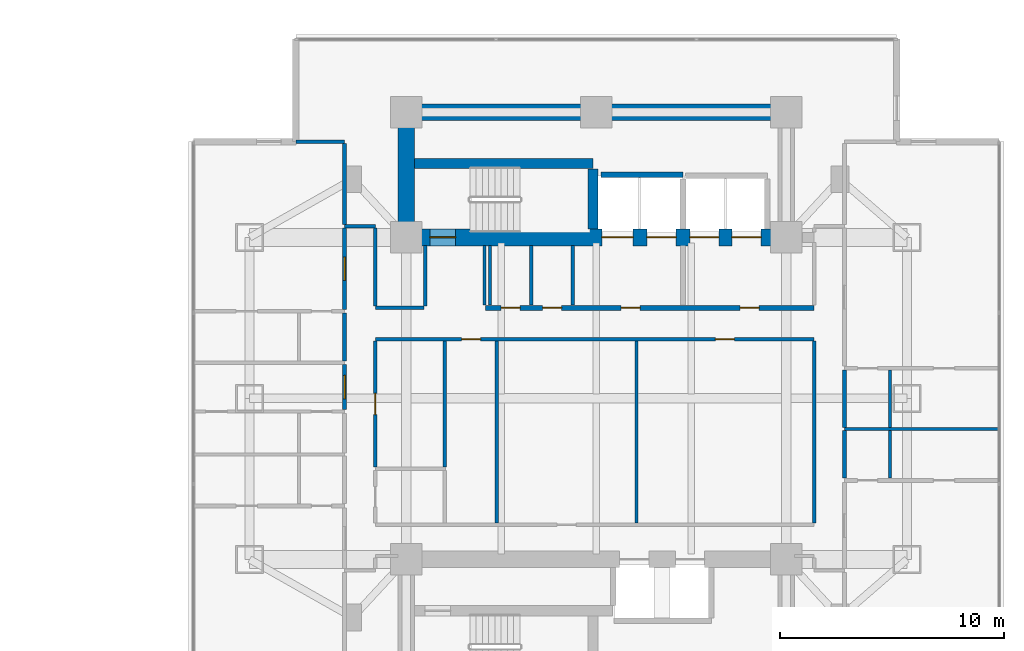
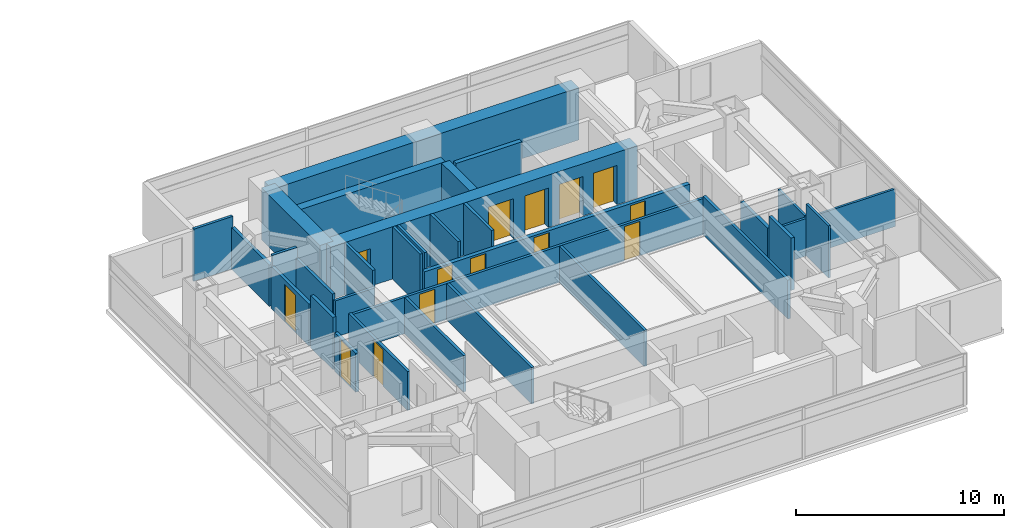
# One storey, part 17 of 26: 31 walls, 14 doors, 14 openings.
"""IFC4 building model written with IfcOpenShell, lengths in metres."""

from ifc_helpers import new_model, si_unit, direction, frame, frame_2d, origin, place, context, subcontext, project, spatial, rectangle, extrude, material, layer, layer_set, type_object, element, fill, save


model = new_model("IFC4")

# Units and contexts
model_context = context("Model", 3, precision=1e-05, world=origin(), true_north=direction((0.0, 1.0)))
body_context = subcontext(model_context, "Body", "Model", "MODEL_VIEW")
ifc_project = project(units=[si_unit("LENGTHUNIT", "METRE"), si_unit("AREAUNIT", "SQUARE_METRE"), si_unit("VOLUMEUNIT", "CUBIC_METRE"), si_unit("PLANEANGLEUNIT", "RADIAN"), si_unit("MASSUNIT", "GRAM", prefix="KILO")], contexts=[model_context])

# Site, building, storey
site_placement = place(None, origin())
site = spatial("IfcSite", under=ifc_project, at=site_placement, CompositionType="ELEMENT")
building_placement = place(site_placement, origin())
building = spatial("IfcBuilding", under=site, at=building_placement, Name="Mirazonda Arch Towers", CompositionType="ELEMENT")
storey_placement = place(building_placement, frame((0.0, 0.0, 25.699951171875)))
storey = spatial("IfcBuildingStorey", under=building, at=storey_placement, Name="L06", CompositionType="ELEMENT", Elevation=25.699951171875)

# Walls
ifc_material_1 = material(Name="Concrete C50/60", Category="concrete")
ifc_layer_1 = layer(ifc_material_1, 0.449951171875, Name="WALL-CORE-450")
ifc_layer_set_1 = layer_set([ifc_layer_1], Name="Concrete C50/60")
wall_type_1 = type_object("IfcWallType", Name="WALL-CORE-450", PredefinedType="SHEAR", material=ifc_layer_set_1)
wall_1_placement = place(storey_placement, frame((68.3701171875, 38.5, 0.0), z_axis=(0.0, 0.0, 1.0), x_axis=(1.0, 0.0, 0.0)))
element("IfcWall", 1, at=wall_1_placement, inside=storey, type_object=wall_type_1, Name="L06 Stair Core Shear Wall 054", PredefinedType="SHEAR", context=body_context, shape_type="SweptSolid", body=[
    extrude(rectangle(XDim=7.989990234375, YDim=0.449951171875, at=frame_2d((3.9951171875, 0.0))), origin(), (0.0, 0.0, 1.0), 3.06005859375),
])
wall_2_placement = place(storey_placement, frame((76.360107421875, 35.570068359375, 0.0), z_axis=(0.0, 0.0, 1.0), x_axis=(0.0, 1.0, 0.0)))
element("IfcWall", 2, at=wall_2_placement, inside=storey, type_object=wall_type_1, Name="L06 Stair Core Shear Wall 144", PredefinedType="SHEAR", context=body_context, shape_type="SweptSolid", body=[
    extrude(rectangle(XDim=2.69482421875, YDim=0.449951171875, at=frame_2d((1.347412109375, 0.0))), origin(), (0.0, 0.0, 1.0), 3.06005859375),
])
ifc_material_2 = material(Name="Concrete C60/75", Category="concrete")
ifc_layer_2 = layer(ifc_material_2, 0.75, Name="WALL-CORE-750")
ifc_layer_set_2 = layer_set([ifc_layer_2], Name="Concrete C60/75")
wall_type_2 = type_object("IfcWallType", Name="WALL-CORE-750", PredefinedType="SHEAR", material=ifc_layer_set_2)
wall_3_placement = place(storey_placement, frame((68.0, 40.800048828125, 0.0), z_axis=(0.0, 0.0, 1.0), x_axis=(1.0, 0.0, 0.0)))
element("IfcWall", 3, at=wall_3_placement, inside=storey, type_object=wall_type_2, Name="L06 T2N-N Core Shear Wall", PredefinedType="SHEAR", context=body_context, shape_type="SweptSolid", body=[
    extrude(rectangle(XDim=17.0, YDim=0.75, at=frame_2d((8.5, 0.0))), origin(), (0.0, 0.0, 1.0), 3.06005859375),
])
wall_4_placement = place(storey_placement, frame((68.0, 35.199951171875, 0.0), z_axis=(0.0, 0.0, 1.0), x_axis=(0.0, 1.0, 0.0)))
element("IfcWall", 4, at=wall_4_placement, inside=storey, type_object=wall_type_2, Name="L06 T2N-W Core Shear Wall", PredefinedType="SHEAR", context=body_context, shape_type="SweptSolid", body=[
    extrude(rectangle(XDim=5.60009765625, YDim=0.75, at=frame_2d((2.800048828125, 0.0))), origin(), (0.0, 0.0, 1.0), 3.06005859375),
])

# Wall, openings, doors
wall_5_placement = place(storey_placement, frame((68.0, 35.199951171875, 0.0), z_axis=(0.0, 0.0, 1.0), x_axis=(1.0, 0.0, 0.0)))
wall_5 = element("IfcWall", 5, at=wall_5_placement, inside=storey, type_object=wall_type_2, Name="L06 T2N-S Core Shear Wall", PredefinedType="SHEAR", context=body_context, shape_type="SweptSolid", body=[
    extrude(rectangle(XDim=17.0, YDim=0.75, at=frame_2d((8.5, 0.0))), origin(), (0.0, 0.0, 1.0), 3.06005859375),
])
opening_1_placement = place(wall_5_placement, frame((1.06005859375, 0.0, 0.0)))
opening_1 = element("IfcOpeningElement", 6, at=opening_1_placement, cuts=wall_5, Name="Opening DR-135", PredefinedType="OPENING", context=body_context, shape_type="SweptSolid", body=[
    extrude(rectangle(XDim=1.14990234375, YDim=2.199951171875, at=frame_2d((0.574951171875, 1.10009765625))), frame((0.0, 0.385009765625, 0.0), z_axis=(0.0, -1.0, 0.0), x_axis=(1.0, 0.0, 0.0)), (0.0, 0.0, 1.0), 0.77001953125),
])
opening_2_placement = place(wall_5_placement, frame((8.75, 0.0, 0.0)))
opening_2 = element("IfcOpeningElement", 7, at=opening_2_placement, cuts=wall_5, Name="Opening LD-112", PredefinedType="OPENING", context=body_context, shape_type="SweptSolid", body=[
    extrude(rectangle(XDim=1.39990234375, YDim=2.35009765625, at=frame_2d((0.699951171875, 1.175048828125))), frame((0.0, 0.385009765625, 0.0), z_axis=(0.0, -1.0, 0.0), x_axis=(1.0, 0.0, 0.0)), (0.0, 0.0, 1.0), 0.77001953125),
])
opening_3_placement = place(wall_5_placement, frame((10.77001953125, 0.0, 0.0)))
opening_3 = element("IfcOpeningElement", 8, at=opening_3_placement, cuts=wall_5, Name="Opening LD-111", PredefinedType="OPENING", context=body_context, shape_type="SweptSolid", body=[
    extrude(rectangle(XDim=1.300048828125, YDim=2.300048828125, at=frame_2d((0.64990234375, 1.14990234375))), frame((0.0, 0.385009765625, 0.0), z_axis=(0.0, -1.0, 0.0), x_axis=(1.0, 0.0, 0.0)), (0.0, 0.0, 1.0), 0.77001953125),
])
opening_4_placement = place(wall_5_placement, frame((12.68994140625, 0.0, 0.0)))
opening_4 = element("IfcOpeningElement", 9, at=opening_4_placement, cuts=wall_5, Name="Opening LD-111", PredefinedType="OPENING", context=body_context, shape_type="SweptSolid", body=[
    extrude(rectangle(XDim=1.300048828125, YDim=2.300048828125, at=frame_2d((0.64990234375, 1.14990234375))), frame((0.0, 0.385009765625, 0.0), z_axis=(0.0, -1.0, 0.0), x_axis=(1.0, 0.0, 0.0)), (0.0, 0.0, 1.0), 0.77001953125),
])
opening_5_placement = place(wall_5_placement, frame((14.570068359375, 0.0, 0.0)))
opening_5 = element("IfcOpeningElement", 10, at=opening_5_placement, cuts=wall_5, Name="Opening LD-111", PredefinedType="OPENING", context=body_context, shape_type="SweptSolid", body=[
    extrude(rectangle(XDim=1.300048828125, YDim=2.300048828125, at=frame_2d((0.64990234375, 1.14990234375))), frame((0.0, 0.385009765625, 0.0), z_axis=(0.0, -1.0, 0.0), x_axis=(1.0, 0.0, 0.0)), (0.0, 0.0, 1.0), 0.77001953125),
])
ifc_material_3 = material(Name="Architectural Brushed Steel S355", Category="steel")
door_type_1 = type_object("IfcDoorType", Name="DOOR-LIFT-FFL-1400", OperationType="NOTDEFINED", PredefinedType="DOOR", material=ifc_material_3)
door_1_placement = place(opening_2_placement, origin())
door_1 = element("IfcDoor", 11, at=door_1_placement, inside=storey, type_object=door_type_1, Name="L06 Lift Landing Sliding Door FFL-T2", OperationType="DOUBLE_DOOR_SLIDING", OverallHeight=2.35009765625, OverallWidth=1.39990234375, PredefinedType="DOOR", context=body_context, shape_type="SweptSolid", body=[
    extrude(rectangle(XDim=1.39990234375, YDim=2.35009765625, at=frame_2d((0.699951171875, 1.175048828125))), frame((0.0, 0.02490234375, 0.0), z_axis=(0.0, -1.0, 0.0), x_axis=(1.0, 0.0, 0.0)), (0.0, 0.0, 1.0), 0.050048828125),
])
fill(opening_2, door_1)
door_type_2 = type_object("IfcDoorType", Name="DOOR-LIFT-LAND-1300", OperationType="NOTDEFINED", PredefinedType="DOOR", material=ifc_material_3)
door_2_placement = place(opening_3_placement, origin())
door_2 = element("IfcDoor", 12, at=door_2_placement, inside=storey, type_object=door_type_2, Name="L06 Lift Landing Sliding Door SVL-T2", OperationType="DOUBLE_DOOR_SLIDING", OverallHeight=2.300048828125, OverallWidth=1.300048828125, PredefinedType="DOOR", context=body_context, shape_type="SweptSolid", body=[
    extrude(rectangle(XDim=1.300048828125, YDim=2.300048828125, at=frame_2d((0.64990234375, 1.14990234375))), frame((0.0, 0.02490234375, 0.0), z_axis=(0.0, -1.0, 0.0), x_axis=(1.0, 0.0, 0.0)), (0.0, 0.0, 1.0), 0.050048828125),
])
fill(opening_3, door_2)
door_3_placement = place(opening_4_placement, origin())
door_3 = element("IfcDoor", 13, at=door_3_placement, inside=storey, type_object=door_type_2, Name="L06 Lift Landing Sliding Door PL-T2L1", OperationType="DOUBLE_DOOR_SLIDING", OverallHeight=2.300048828125, OverallWidth=1.300048828125, PredefinedType="DOOR", context=body_context, shape_type="SweptSolid", body=[
    extrude(rectangle(XDim=1.300048828125, YDim=2.300048828125, at=frame_2d((0.64990234375, 1.14990234375))), frame((0.0, 0.02490234375, 0.0), z_axis=(0.0, -1.0, 0.0), x_axis=(1.0, 0.0, 0.0)), (0.0, 0.0, 1.0), 0.050048828125),
])
fill(opening_4, door_3)
door_4_placement = place(opening_5_placement, origin())
door_4 = element("IfcDoor", 14, at=door_4_placement, inside=storey, type_object=door_type_2, Name="L06 Lift Landing Sliding Door PL-T2L2", OperationType="DOUBLE_DOOR_SLIDING", OverallHeight=2.300048828125, OverallWidth=1.300048828125, PredefinedType="DOOR", context=body_context, shape_type="SweptSolid", body=[
    extrude(rectangle(XDim=1.300048828125, YDim=2.300048828125, at=frame_2d((0.64990234375, 1.14990234375))), frame((0.0, 0.02490234375, 0.0), z_axis=(0.0, -1.0, 0.0), x_axis=(1.0, 0.0, 0.0)), (0.0, 0.0, 1.0), 0.050048828125),
])
fill(opening_5, door_4)
door_type_3 = type_object("IfcDoorType", Name="DOOR-STAIR-FD90-1150", OperationType="NOTDEFINED", PredefinedType="DOOR", material=ifc_material_3)
door_5_placement = place(opening_1_placement, origin())
door_5 = element("IfcDoor", 15, at=door_5_placement, inside=storey, type_object=door_type_3, Name="L06 East Protected Stair North Door", OperationType="SINGLE_SWING_LEFT", OverallHeight=2.199951171875, OverallWidth=1.14990234375, PredefinedType="DOOR", context=body_context, shape_type="SweptSolid", body=[
    extrude(rectangle(XDim=1.14990234375, YDim=2.199951171875, at=frame_2d((0.574951171875, 1.10009765625))), frame((0.0, 0.02490234375, 0.0), z_axis=(0.0, -1.0, 0.0), x_axis=(1.0, 0.0, 0.0)), (0.0, 0.0, 1.0), 0.050048828125),
])
fill(opening_1, door_5)

ifc_material_4 = material(Name="Concrete C40/50", Category="concrete")
ifc_layer_3 = layer(ifc_material_4, 0.219970703125, Name="WALL-FFL-220")
ifc_layer_set_3 = layer_set([ifc_layer_3], Name="Concrete C40/50")
wall_type_3 = type_object("IfcWallType", Name="WALL-FFL-220", PredefinedType="SOLIDWALL", material=ifc_layer_set_3)
wall_6_placement = place(storey_placement, frame((71.550048828125, 32.050048828125, 0.0), z_axis=(0.0, 0.0, 1.0), x_axis=(1.0, 0.0, 0.0)))
wall_6 = element("IfcWall", 16, at=wall_6_placement, inside=storey, type_object=wall_type_3, Name="L06 Interior Partition 042", PredefinedType="SOLIDWALL", context=body_context, shape_type="SweptSolid", body=[
    extrude(rectangle(XDim=14.699951171875, YDim=0.219970703125, at=frame_2d((7.35009765625, 0.0))), origin(), (0.0, 0.0, 1.0), 2.125),
])
opening_6_placement = place(wall_6_placement, frame((11.389892578125, 0.0, 0.0)))
opening_6 = element("IfcOpeningElement", 17, at=opening_6_placement, cuts=wall_6, Name="Opening DR-128", PredefinedType="OPENING", context=body_context, shape_type="SweptSolid", body=[
    extrude(rectangle(XDim=0.85009765625, YDim=2.010009765625, at=frame_2d((0.425048828125, 1.0048828125))), frame((0.0, 0.119873046875, 0.0), z_axis=(0.0, -1.0, 0.0), x_axis=(1.0, 0.0, 0.0)), (0.0, 0.0, 1.0), 0.239990234375),
])
opening_7_placement = place(wall_6_placement, frame((6.06494140625, 0.0, 0.0)))
opening_7 = element("IfcOpeningElement", 18, at=opening_7_placement, cuts=wall_6, Name="Opening DR-128", PredefinedType="OPENING", context=body_context, shape_type="SweptSolid", body=[
    extrude(rectangle(XDim=0.85009765625, YDim=2.010009765625, at=frame_2d((0.425048828125, 1.0048828125))), frame((0.0, 0.119873046875, 0.0), z_axis=(0.0, -1.0, 0.0), x_axis=(1.0, 0.0, 0.0)), (0.0, 0.0, 1.0), 0.239990234375),
])
opening_8_placement = place(wall_6_placement, frame((0.699951171875, 0.0, 0.0)))
opening_8 = element("IfcOpeningElement", 19, at=opening_8_placement, cuts=wall_6, Name="Opening DR-128", PredefinedType="OPENING", context=body_context, shape_type="SweptSolid", body=[
    extrude(rectangle(XDim=0.85009765625, YDim=2.010009765625, at=frame_2d((0.425048828125, 1.0048828125))), frame((0.0, 0.119873046875, 0.0), z_axis=(0.0, -1.0, 0.0), x_axis=(1.0, 0.0, 0.0)), (0.0, 0.0, 1.0), 0.239990234375),
])
opening_9_placement = place(wall_6_placement, frame((2.550048828125, 0.0, 0.0)))
opening_9 = element("IfcOpeningElement", 20, at=opening_9_placement, cuts=wall_6, Name="Opening DR-128", PredefinedType="OPENING", context=body_context, shape_type="SweptSolid", body=[
    extrude(rectangle(XDim=0.85009765625, YDim=2.010009765625, at=frame_2d((0.425048828125, 1.0048828125))), frame((0.0, 0.119873046875, 0.0), z_axis=(0.0, -1.0, 0.0), x_axis=(1.0, 0.0, 0.0)), (0.0, 0.0, 1.0), 0.239990234375),
])
door_type_4 = type_object("IfcDoorType", Name="DOOR-RISER-FD60-850", OperationType="NOTDEFINED", PredefinedType="DOOR", material=ifc_material_3)
door_6_placement = place(opening_6_placement, origin())
door_6 = element("IfcDoor", 21, at=door_6_placement, inside=storey, type_object=door_type_4, Name="L06 East Passenger Lift Lobby Door", OperationType="SINGLE_SWING_RIGHT", OverallHeight=2.010009765625, OverallWidth=0.85009765625, PredefinedType="DOOR", context=body_context, shape_type="SweptSolid", body=[
    extrude(rectangle(XDim=0.85009765625, YDim=2.010009765625, at=frame_2d((0.425048828125, 1.0048828125))), frame((0.0, 0.02490234375, 0.0), z_axis=(0.0, -1.0, 0.0), x_axis=(1.0, 0.0, 0.0)), (0.0, 0.0, 1.0), 0.050048828125),
])
fill(opening_6, door_6)
door_7_placement = place(opening_7_placement, origin())
door_7 = element("IfcDoor", 22, at=door_7_placement, inside=storey, type_object=door_type_4, Name="L06 East Firefighting Lift Lobby Door", OperationType="SINGLE_SWING_RIGHT", OverallHeight=2.010009765625, OverallWidth=0.85009765625, PredefinedType="DOOR", context=body_context, shape_type="SweptSolid", body=[
    extrude(rectangle(XDim=0.85009765625, YDim=2.010009765625, at=frame_2d((0.425048828125, 1.0048828125))), frame((0.0, 0.02490234375, 0.0), z_axis=(0.0, -1.0, 0.0), x_axis=(1.0, 0.0, 0.0)), (0.0, 0.0, 1.0), 0.050048828125),
])
fill(opening_7, door_7)
door_8_placement = place(opening_8_placement, origin())
door_8 = element("IfcDoor", 23, at=door_8_placement, inside=storey, type_object=door_type_4, Name="L06 Tower 2 Electrical Room Door", OperationType="SINGLE_SWING_LEFT", OverallHeight=2.010009765625, OverallWidth=0.85009765625, PredefinedType="DOOR", context=body_context, shape_type="SweptSolid", body=[
    extrude(rectangle(XDim=0.85009765625, YDim=2.010009765625, at=frame_2d((0.425048828125, 1.0048828125))), frame((0.0, 0.02490234375, 0.0), z_axis=(0.0, -1.0, 0.0), x_axis=(1.0, 0.0, 0.0)), (0.0, 0.0, 1.0), 0.050048828125),
])
fill(opening_8, door_8)
door_9_placement = place(opening_9_placement, origin())
door_9 = element("IfcDoor", 24, at=door_9_placement, inside=storey, type_object=door_type_4, Name="L06 Tower 2 Cleaners Store Door", OperationType="SINGLE_SWING_RIGHT", OverallHeight=2.010009765625, OverallWidth=0.85009765625, PredefinedType="DOOR", context=body_context, shape_type="SweptSolid", body=[
    extrude(rectangle(XDim=0.85009765625, YDim=2.010009765625, at=frame_2d((0.425048828125, 1.0048828125))), frame((0.0, 0.02490234375, 0.0), z_axis=(0.0, -1.0, 0.0), x_axis=(1.0, 0.0, 0.0)), (0.0, 0.0, 1.0), 0.050048828125),
])
fill(opening_9, door_9)

ifc_material_5 = material(Name="Fire-Rated Gypsum Stud Partition")
ifc_layer_4 = layer(ifc_material_5, 0.14990234375, Name="WALL-PART-CORR-150")
ifc_layer_set_4 = layer_set([ifc_layer_4], Name="Fire-Rated Gypsum Stud Partition")
wall_type_4 = type_object("IfcWallType", Name="WALL-PART-CORR-150", PredefinedType="PARTITIONING", material=ifc_layer_set_4)
wall_7_placement = place(storey_placement, frame((66.6201171875, 30.64990234375, 0.0), z_axis=(0.0, 0.0, 1.0), x_axis=(1.0, 0.0, 0.0)))
wall_7 = element("IfcWall", 25, at=wall_7_placement, inside=storey, type_object=wall_type_4, Name="L06 Interior Partition 039", PredefinedType="PARTITIONING", context=body_context, shape_type="SweptSolid", body=[
    extrude(rectangle(XDim=19.6298828125, YDim=0.14990234375, at=frame_2d((9.81494140625, 0.0))), origin(), (0.0, 0.0, 1.0), 2.125),
])
opening_10_placement = place(wall_7_placement, frame((3.85498046875, 0.0, 0.0)))
opening_10 = element("IfcOpeningElement", 26, at=opening_10_placement, cuts=wall_7, Name="Opening DR-128", PredefinedType="OPENING", context=body_context, shape_type="SweptSolid", body=[
    extrude(rectangle(XDim=0.85009765625, YDim=2.010009765625, at=frame_2d((0.425048828125, 1.0048828125))), frame((0.0, 0.0849609375, 0.0), z_axis=(0.0, -1.0, 0.0), x_axis=(1.0, 0.0, 0.0)), (0.0, 0.0, 1.0), 0.169921875),
])
opening_11_placement = place(wall_7_placement, frame((15.208984375, 0.0, 0.0)))
opening_11 = element("IfcOpeningElement", 27, at=opening_11_placement, cuts=wall_7, Name="Opening DR-128", PredefinedType="OPENING", context=body_context, shape_type="SweptSolid", body=[
    extrude(rectangle(XDim=0.85009765625, YDim=2.010009765625, at=frame_2d((0.425048828125, 1.0048828125))), frame((0.0, 0.0849609375, 0.0), z_axis=(0.0, -1.0, 0.0), x_axis=(1.0, 0.0, 0.0)), (0.0, 0.0, 1.0), 0.169921875),
])
door_10_placement = place(opening_10_placement, origin())
door_10 = element("IfcDoor", 28, at=door_10_placement, inside=storey, type_object=door_type_4, Name="L06 L06 East Courtyard Study Door", OperationType="SINGLE_SWING_LEFT", OverallHeight=2.010009765625, OverallWidth=0.85009765625, PredefinedType="DOOR", context=body_context, shape_type="SweptSolid", body=[
    extrude(rectangle(XDim=0.85009765625, YDim=2.010009765625, at=frame_2d((0.425048828125, 1.0048828125))), frame((0.0, 0.02490234375, 0.0), z_axis=(0.0, -1.0, 0.0), x_axis=(1.0, 0.0, 0.0)), (0.0, 0.0, 1.0), 0.050048828125),
])
fill(opening_10, door_10)
door_11_placement = place(opening_11_placement, origin())
door_11 = element("IfcDoor", 29, at=door_11_placement, inside=storey, type_object=door_type_4, Name="L06 Business Reading Study Door", OperationType="SINGLE_SWING_LEFT", OverallHeight=2.010009765625, OverallWidth=0.85009765625, PredefinedType="DOOR", context=body_context, shape_type="SweptSolid", body=[
    extrude(rectangle(XDim=0.85009765625, YDim=2.010009765625, at=frame_2d((0.425048828125, 1.0048828125))), frame((0.0, 0.02490234375, 0.0), z_axis=(0.0, -1.0, 0.0), x_axis=(1.0, 0.0, 0.0)), (0.0, 0.0, 1.0), 0.050048828125),
])
fill(opening_11, door_11)

# Walls
wall_8_placement = place(storey_placement, frame((66.6201171875, 32.050048828125, 0.0), z_axis=(0.0, 0.0, 1.0), x_axis=(1.0, 0.0, 0.0)))
element("IfcWall", 30, at=wall_8_placement, inside=storey, type_object=wall_type_4, Name="L06 Interior Partition 041", PredefinedType="PARTITIONING", context=body_context, shape_type="SweptSolid", body=[
    extrude(rectangle(XDim=2.179931640625, YDim=0.14990234375, at=frame_2d((1.08984375, 0.0))), origin(), (0.0, 0.0, 1.0), 2.125),
])
wall_9_placement = place(storey_placement, frame((65.25, 35.699951171875, 0.0), z_axis=(0.0, 0.0, 1.0), x_axis=(1.0, 0.0, 0.0)))
element("IfcWall", 31, at=wall_9_placement, inside=storey, type_object=wall_type_4, Name="L06 Interior Partition 050", PredefinedType="PARTITIONING", context=body_context, shape_type="SweptSolid", body=[
    extrude(rectangle(XDim=1.3701171875, YDim=0.14990234375, at=frame_2d((0.68505859375, 0.0))), origin(), (0.0, 0.0, 1.0), 3.06005859375),
])
wall_10_placement = place(storey_placement, frame((63.08203125, 39.48291015625, 0.0), z_axis=(0.0, 0.0, 1.0), x_axis=(1.0, 0.0, 0.0)))
element("IfcWall", 32, at=wall_10_placement, inside=storey, type_object=wall_type_4, Name="L06 Interior Partition 055", PredefinedType="PARTITIONING", context=body_context, shape_type="SweptSolid", body=[
    extrude(rectangle(XDim=2.16796875, YDim=0.14990234375, at=frame_2d((1.083984375, 0.0))), origin(), (0.0, 0.0, 1.0), 3.06005859375),
])

# Wall, opening, door
wall_11_placement = place(storey_placement, frame((66.6201171875, 24.93505859375, 0.0), z_axis=(0.0, 0.0, 1.0), x_axis=(0.0, 1.0, 0.0)))
wall_11 = element("IfcWall", 33, at=wall_11_placement, inside=storey, type_object=wall_type_4, Name="L06 Interior Partition 133", PredefinedType="PARTITIONING", context=body_context, shape_type="SweptSolid", body=[
    extrude(rectangle(XDim=5.6298828125, YDim=0.14990234375, at=frame_2d((2.81494140625, 0.0))), origin(), (0.0, 0.0, 1.0), 2.279052734375),
])
opening_12_placement = place(wall_11_placement, frame((2.340087890625, 0.0, 0.0)))
opening_12 = element("IfcOpeningElement", 34, at=opening_12_placement, cuts=wall_11, Name="Opening DR-104", PredefinedType="OPENING", context=body_context, shape_type="SweptSolid", body=[
    extrude(rectangle(XDim=0.949951171875, YDim=2.14990234375, at=frame_2d((0.47509765625, 1.074951171875))), frame((0.0, 0.0849609375, 0.0), z_axis=(0.0, -1.0, 0.0), x_axis=(1.0, 0.0, 0.0)), (0.0, 0.0, 1.0), 0.169921875),
])
door_type_5 = type_object("IfcDoorType", Name="DOOR-ROOM-950", OperationType="NOTDEFINED", PredefinedType="DOOR", material=ifc_material_3)
door_12_placement = place(opening_12_placement, origin())
door_12 = element("IfcDoor", 35, at=door_12_placement, inside=storey, type_object=door_type_5, Name="L06 L06 East Courtyard Reading Study Door", OperationType="SINGLE_SWING_RIGHT", OverallHeight=2.14990234375, OverallWidth=0.949951171875, PredefinedType="DOOR", context=body_context, shape_type="SweptSolid", body=[
    extrude(rectangle(XDim=0.949951171875, YDim=2.14990234375, at=frame_2d((0.47509765625, 1.074951171875))), frame((0.0, 0.02490234375, 0.0), z_axis=(0.0, -1.0, 0.0), x_axis=(1.0, 0.0, 0.0)), (0.0, 0.0, 1.0), 0.050048828125),
])
fill(opening_12, door_12)

# Walls
wall_12_placement = place(storey_placement, frame((66.6201171875, 32.135009765625, 0.0), z_axis=(0.0, 0.0, 1.0), x_axis=(0.0, 1.0, 0.0)))
element("IfcWall", 36, at=wall_12_placement, inside=storey, type_object=wall_type_4, Name="L06 Interior Partition 134", PredefinedType="PARTITIONING", context=body_context, shape_type="SweptSolid", body=[
    extrude(rectangle(XDim=3.47998046875, YDim=0.14990234375, at=frame_2d((1.739990234375, 0.0))), origin(), (0.0, 0.0, 1.0), 2.4521484375),
])
wall_13_placement = place(storey_placement, frame((68.85009765625, 32.135009765625, 0.0), z_axis=(0.0, 0.0, 1.0), x_axis=(0.0, 1.0, 0.0)))
element("IfcWall", 37, at=wall_13_placement, inside=storey, type_object=wall_type_4, Name="L06 Interior Partition 135", PredefinedType="PARTITIONING", context=body_context, shape_type="SweptSolid", body=[
    extrude(rectangle(XDim=2.695068359375, YDim=0.14990234375, at=frame_2d((1.34765625, 0.0))), origin(), (0.0, 0.0, 1.0), 3.06005859375),
])
wall_14_placement = place(storey_placement, frame((69.723388671875, 24.93505859375, 0.0), z_axis=(0.0, 0.0, 1.0), x_axis=(0.0, 1.0, 0.0)))
element("IfcWall", 38, at=wall_14_placement, inside=storey, type_object=wall_type_4, Name="L06 Interior Partition 137", PredefinedType="PARTITIONING", context=body_context, shape_type="SweptSolid", body=[
    extrude(rectangle(XDim=5.6298828125, YDim=0.14990234375, at=frame_2d((2.81494140625, 0.0))), origin(), (0.0, 0.0, 1.0), 2.125),
])
for number, where, z_axis, x_axis, name in (
    (39, (71.5, 32.169921875, 0.0), (0.0, 0.0, 1.0), (0.0, 1.0, 0.0), "L06 Interior Partition 138"),
    (40, (71.75, 32.169921875, 0.0), (0.0, 0.0, 1.0), (0.0, 1.0, 0.0), "L06 Interior Partition 139"),
):
    element("IfcWall", number, at=place(storey_placement, frame(where, z_axis=z_axis, x_axis=x_axis)), inside=storey, type_object=wall_type_4, Name=name, PredefinedType="PARTITIONING", context=body_context, shape_type="SweptSolid", body=[
        extrude(rectangle(XDim=2.66015625, YDim=0.14990234375, at=frame_2d((1.330078125, 0.0))), origin(), (0.0, 0.0, 1.0), 3.06005859375),
    ])
wall_15_placement = place(storey_placement, frame((72.050048828125, 22.43505859375, 0.0), z_axis=(0.0, 0.0, 1.0), x_axis=(0.0, 1.0, 0.0)))
element("IfcWall", 41, at=wall_15_placement, inside=storey, type_object=wall_type_4, Name="L06 Interior Partition 140", PredefinedType="PARTITIONING", context=body_context, shape_type="SweptSolid", body=[
    extrude(rectangle(XDim=8.1298828125, YDim=0.14990234375, at=frame_2d((4.06494140625, 0.0))), origin(), (0.0, 0.0, 1.0), 2.125),
])
for number, where, z_axis, x_axis, name in (
    (42, (73.60009765625, 32.169921875, 0.0), (0.0, 0.0, 1.0), (0.0, 1.0, 0.0), "L06 Interior Partition 141"),
    (43, (75.449951171875, 32.169921875, 0.0), (0.0, 0.0, 1.0), (0.0, 1.0, 0.0), "L06 Interior Partition 142"),
):
    element("IfcWall", number, at=place(storey_placement, frame(where, z_axis=z_axis, x_axis=x_axis)), inside=storey, type_object=wall_type_4, Name=name, PredefinedType="PARTITIONING", context=body_context, shape_type="SweptSolid", body=[
        extrude(rectangle(XDim=2.66015625, YDim=0.14990234375, at=frame_2d((1.330078125, 0.0))), origin(), (0.0, 0.0, 1.0), 3.06005859375),
    ])
wall_16_placement = place(storey_placement, frame((78.298095703125, 22.43505859375, 0.0), z_axis=(0.0, 0.0, 1.0), x_axis=(0.0, 1.0, 0.0)))
element("IfcWall", 44, at=wall_16_placement, inside=storey, type_object=wall_type_4, Name="L06 Interior Partition 146", PredefinedType="PARTITIONING", context=body_context, shape_type="SweptSolid", body=[
    extrude(rectangle(XDim=8.1298828125, YDim=0.14990234375, at=frame_2d((4.06494140625, 0.0))), origin(), (0.0, 0.0, 1.0), 2.125),
])
wall_17_placement = place(storey_placement, frame((86.25, 22.43505859375, 0.0), z_axis=(0.0, 0.0, 1.0), x_axis=(0.0, 1.0, 0.0)))
element("IfcWall", 45, at=wall_17_placement, inside=storey, type_object=wall_type_4, Name="L06 Interior Partition 152", PredefinedType="PARTITIONING", context=body_context, shape_type="SweptSolid", body=[
    extrude(rectangle(XDim=8.1298828125, YDim=0.14990234375, at=frame_2d((4.06494140625, 0.0))), origin(), (0.0, 0.0, 1.0), 2.279052734375),
])

# Wall, opening, door
ifc_material_6 = material(Name="Fire-Rated Gypsum Twin-Stud Assembly")
ifc_layer_5 = layer(ifc_material_6, 0.179931640625, Name="WALL-PART-DEMISE-180")
ifc_layer_set_5 = layer_set([ifc_layer_5], Name="Fire-Rated Gypsum Twin-Stud Assembly")
wall_type_5 = type_object("IfcWallType", Name="WALL-PART-DEMISE-180", PredefinedType="PARTITIONING", material=ifc_layer_set_5)
wall_18_placement = place(storey_placement, frame((65.25, 27.4970703125, 0.0), z_axis=(0.0, 0.0, 1.0), x_axis=(0.0, 1.0, 0.0)))
wall_18 = element("IfcWall", 46, at=wall_18_placement, inside=storey, type_object=wall_type_5, Name="L06 Interior Partition 127", PredefinedType="PARTITIONING", context=body_context, shape_type="SweptSolid", body=[
    extrude(rectangle(XDim=2.013916015625, YDim=0.179931640625, at=frame_2d((1.0068359375, 0.0))), origin(), (0.0, 0.0, 1.0), 2.279052734375),
])
opening_13_placement = place(wall_18_placement, frame((0.48193359375, 0.0, 0.0)))
opening_13 = element("IfcOpeningElement", 47, at=opening_13_placement, cuts=wall_18, Name="Opening DR-121", PredefinedType="OPENING", context=body_context, shape_type="SweptSolid", body=[
    extrude(rectangle(XDim=1.050048828125, YDim=2.199951171875, at=frame_2d((0.52490234375, 1.10009765625))), frame((0.0, 0.099853515625, 0.0), z_axis=(0.0, -1.0, 0.0), x_axis=(1.0, 0.0, 0.0)), (0.0, 0.0, 1.0), 0.199951171875),
])
door_type_6 = type_object("IfcDoorType", Name="DOOR-SUITE-FD60-1050", OperationType="NOTDEFINED", PredefinedType="DOOR", material=ifc_material_3)
door_13_placement = place(opening_13_placement, origin())
door_13 = element("IfcDoor", 48, at=door_13_placement, inside=storey, type_object=door_type_6, Name="L06 Twin Hotel Guestroom 2 Door", OperationType="SINGLE_SWING_RIGHT", OverallHeight=2.199951171875, OverallWidth=1.050048828125, PredefinedType="DOOR", context=body_context, shape_type="SweptSolid", body=[
    extrude(rectangle(XDim=1.050048828125, YDim=2.199951171875, at=frame_2d((0.52490234375, 1.10009765625))), frame((0.0, 0.02490234375, 0.0), z_axis=(0.0, -1.0, 0.0), x_axis=(1.0, 0.0, 0.0)), (0.0, 0.0, 1.0), 0.050048828125),
])
fill(opening_13, door_13)

# Wall
wall_19_placement = place(storey_placement, frame((65.25, 29.680908203125, 0.0), z_axis=(0.0, 0.0, 1.0), x_axis=(0.0, 1.0, 0.0)))
element("IfcWall", 49, at=wall_19_placement, inside=storey, type_object=wall_type_5, Name="L06 Interior Partition 128", PredefinedType="PARTITIONING", context=body_context, shape_type="SweptSolid", body=[
    extrude(rectangle(XDim=2.130126953125, YDim=0.179931640625, at=frame_2d((1.06494140625, 0.0))), origin(), (0.0, 0.0, 1.0), 3.06005859375),
])

# Wall, opening, door
wall_20_placement = place(storey_placement, frame((65.25, 31.98095703125, 0.0), z_axis=(0.0, 0.0, 1.0), x_axis=(0.0, 1.0, 0.0)))
wall_20 = element("IfcWall", 50, at=wall_20_placement, inside=storey, type_object=wall_type_5, Name="L06 Interior Partition 129", PredefinedType="PARTITIONING", context=body_context, shape_type="SweptSolid", body=[
    extrude(rectangle(XDim=3.634033203125, YDim=0.179931640625, at=frame_2d((1.81689453125, 0.0))), origin(), (0.0, 0.0, 1.0), 2.4521484375),
])
opening_14_placement = place(wall_20_placement, frame((1.2919921875, 0.0, 0.0)))
opening_14 = element("IfcOpeningElement", 51, at=opening_14_placement, cuts=wall_20, Name="Opening DR-121", PredefinedType="OPENING", context=body_context, shape_type="SweptSolid", body=[
    extrude(rectangle(XDim=1.050048828125, YDim=2.199951171875, at=frame_2d((0.52490234375, 1.10009765625))), frame((0.0, 0.099853515625, 0.0), z_axis=(0.0, -1.0, 0.0), x_axis=(1.0, 0.0, 0.0)), (0.0, 0.0, 1.0), 0.199951171875),
])
door_14_placement = place(opening_14_placement, origin())
door_14 = element("IfcDoor", 52, at=door_14_placement, inside=storey, type_object=door_type_6, Name="L06 King Hotel Guestroom 3 Door", OperationType="SINGLE_SWING_LEFT", OverallHeight=2.199951171875, OverallWidth=1.050048828125, PredefinedType="DOOR", context=body_context, shape_type="SweptSolid", body=[
    extrude(rectangle(XDim=1.050048828125, YDim=2.199951171875, at=frame_2d((0.52490234375, 1.10009765625))), frame((0.0, 0.02490234375, 0.0), z_axis=(0.0, -1.0, 0.0), x_axis=(1.0, 0.0, 0.0)), (0.0, 0.0, 1.0), 0.050048828125),
])
fill(opening_14, door_14)

# Walls
wall_21_placement = place(storey_placement, frame((65.25, 35.784912109375, 0.0), z_axis=(0.0, 0.0, 1.0), x_axis=(0.0, 1.0, 0.0)))
element("IfcWall", 53, at=wall_21_placement, inside=storey, type_object=wall_type_5, Name="L06 Interior Partition 130", PredefinedType="PARTITIONING", context=body_context, shape_type="SweptSolid", body=[
    extrude(rectangle(XDim=3.613037109375, YDim=0.179931640625, at=frame_2d((1.806640625, 0.0))), origin(), (0.0, 0.0, 1.0), 2.43603515625),
])
wall_22_placement = place(storey_placement, frame((87.60009765625, 24.431884765625, 0.0), z_axis=(0.0, 0.0, 1.0), x_axis=(0.0, 1.0, 0.0)))
element("IfcWall", 54, at=wall_22_placement, inside=storey, type_object=wall_type_5, Name="L06 Interior Partition 157", PredefinedType="PARTITIONING", context=body_context, shape_type="SweptSolid", body=[
    extrude(rectangle(XDim=2.127685546875, YDim=0.179931640625, at=frame_2d((1.06396484375, 0.0))), origin(), (0.0, 0.0, 1.0), 3.06005859375),
])
wall_23_placement = place(storey_placement, frame((87.60009765625, 26.70458984375, 0.0), z_axis=(0.0, 0.0, 1.0), x_axis=(0.0, 1.0, 0.0)))
element("IfcWall", 55, at=wall_23_placement, inside=storey, type_object=wall_type_5, Name="L06 Interior Partition 158", PredefinedType="PARTITIONING", context=body_context, shape_type="SweptSolid", body=[
    extrude(rectangle(XDim=2.5625, YDim=0.179931640625, at=frame_2d((1.28125, 0.0))), origin(), (0.0, 0.0, 1.0), 2.279052734375),
])
ifc_material_7 = material(Name="Acoustic Fire-Rated Gypsum Partition")
ifc_layer_6 = layer(ifc_material_7, 0.125, Name="WALL-PART-UNIT-125")
ifc_layer_set_6 = layer_set([ifc_layer_6], Name="Acoustic Fire-Rated Gypsum Partition")
wall_type_6 = type_object("IfcWallType", Name="WALL-PART-UNIT-125", PredefinedType="PARTITIONING", material=ifc_layer_set_6)
wall_24_placement = place(storey_placement, frame((87.60009765625, 26.632080078125, 0.0), z_axis=(0.0, 0.0, 1.0), x_axis=(1.0, 0.0, 0.0)))
element("IfcWall", 56, at=wall_24_placement, inside=storey, type_object=wall_type_6, Name="L06 Interior Partition 031", PredefinedType="PARTITIONING", context=body_context, shape_type="SweptSolid", body=[
    extrude(rectangle(XDim=6.91796875, YDim=0.125, at=frame_2d((3.458984375, 0.0))), origin(), (0.0, 0.0, 1.0), 2.196044921875),
])
wall_25_placement = place(storey_placement, frame((89.639892578125, 24.431884765625, 0.0), z_axis=(0.0, 0.0, 1.0), x_axis=(0.0, 1.0, 0.0)))
element("IfcWall", 57, at=wall_25_placement, inside=storey, type_object=wall_type_6, Name="L06 Interior Partition 161", PredefinedType="PARTITIONING", context=body_context, shape_type="SweptSolid", body=[
    extrude(rectangle(XDim=2.127685546875, YDim=0.125, at=frame_2d((1.06396484375, 0.0))), origin(), (0.0, 0.0, 1.0), 3.06005859375),
])
wall_26_placement = place(storey_placement, frame((89.639892578125, 26.70458984375, 0.0), z_axis=(0.0, 0.0, 1.0), x_axis=(0.0, 1.0, 0.0)))
element("IfcWall", 58, at=wall_26_placement, inside=storey, type_object=wall_type_6, Name="L06 Interior Partition 162", PredefinedType="PARTITIONING", context=body_context, shape_type="SweptSolid", body=[
    extrude(rectangle(XDim=2.5625, YDim=0.125, at=frame_2d((1.28125, 0.0))), origin(), (0.0, 0.0, 1.0), 2.279052734375),
])
ifc_layer_7 = layer(ifc_material_4, 0.25, Name="WALL-SHAFT-250")
ifc_layer_set_7 = layer_set([ifc_layer_7], Name="Concrete C40/50")
wall_type_7 = type_object("IfcWallType", Name="WALL-SHAFT-250", PredefinedType="SOLIDWALL", material=ifc_layer_set_7)
wall_27_placement = place(storey_placement, frame((76.719970703125, 38.0, 0.0), z_axis=(0.0, 0.0, 1.0), x_axis=(1.0, 0.0, 0.0)))
element("IfcWall", 59, at=wall_27_placement, inside=storey, type_object=wall_type_7, Name="L06 Interior Partition 053", PredefinedType="SOLIDWALL", context=body_context, shape_type="SweptSolid", body=[
    extrude(rectangle(XDim=3.659912109375, YDim=0.25, at=frame_2d((1.830078125, 0.0))), origin(), (0.0, 0.0, 1.0), 3.06005859375),
])

save(model, "model.ifc")
